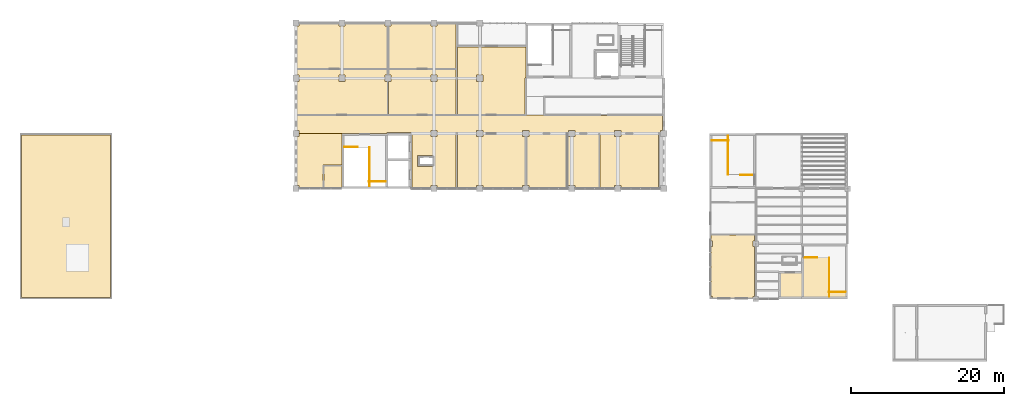
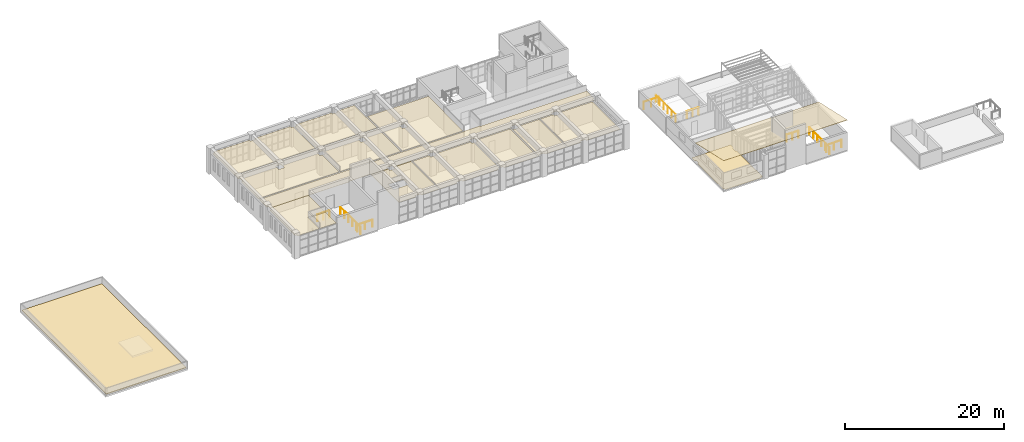
# One storey, part 49 of 51: 16 coverings, 9 railings.
"""IFC4 building model written with IfcOpenShell, lengths in metres."""

import ifcopenshell
import ifcopenshell.guid

model = None  # the IFC model being written
_history = None  # IfcOwnerHistory: only IFC2X3 demands one
_inside = {}  # id of a spatial element -> (the spatial element, [elements in it])
_under = {}  # id of a project, library or spatial element -> (it, [spatial elements below it])
_declared = {}  # id of a project -> (the project, [libraries it declares])
_typed = {}  # id of a type object -> (the type object, [elements of that type])
_made_of = {}  # id of a material, layer set ... -> (it, [elements and type objects made of it])


def new_model(schema):
    """Start an empty IFC model of exactly this schema.

    Asked for "IFC4X3", IfcOpenShell would pick the latest addendum, in which some entities
    have other attributes; the version numbers below select the first issue.
    IFC2X3 requires an IfcOwnerHistory on every rooted entity: one is made here for all.
    """
    global model, _history
    if schema == "IFC4X3":
        model = ifcopenshell.file(schema_version=(4, 3, 0, 0))
    else:
        model = ifcopenshell.file(schema=schema)
    _inside.clear()
    _under.clear()
    _declared.clear()
    _typed.clear()
    _made_of.clear()
    _history = None
    if model.schema == "IFC2X3":
        org = make("IfcOrganization", Name="unknown")
        user = make(
            "IfcPersonAndOrganization",
            ThePerson=make("IfcPerson", FamilyName="unknown"),
            TheOrganization=org,
        )
        app = make(
            "IfcApplication",
            ApplicationDeveloper=org,
            Version="unknown",
            ApplicationFullName="unknown",
            ApplicationIdentifier="unknown",
        )
        _history = make(
            "IfcOwnerHistory",
            OwningUser=user,
            OwningApplication=app,
            ChangeAction="ADDED",
            CreationDate=0,
        )
    return model


def make(cls, **values):
    """One entity of the class cls with the attributes given. An attribute that is None is left unset."""
    return model.create_entity(
        cls, **{name: value for name, value in values.items() if value is not None}
    )


def rooted(cls, **values):
    """An entity with a GlobalId (a new one), such as an element, a storey or a relation."""
    return make(cls, GlobalId=ifcopenshell.guid.new(), OwnerHistory=_history, **values)


def si_unit(unit_type, name, prefix=None):
    """IfcSIUnit, for example si_unit("LENGTHUNIT", "METRE", prefix="MILLI")."""
    return make("IfcSIUnit", UnitType=unit_type, Prefix=prefix, Name=name)


def assignment(units):
    """IfcUnitAssignment: the units of a project."""
    return None if units is None else make("IfcUnitAssignment", Units=units)


def point(xyz):
    """IfcCartesianPoint."""
    return None if xyz is None else make("IfcCartesianPoint", Coordinates=xyz)


def direction(xyz):
    """IfcDirection."""
    return None if xyz is None else make("IfcDirection", DirectionRatios=xyz)


def frame(location, z_axis=None, x_axis=None):
    """IfcAxis2Placement3D, a coordinate frame: its origin and axes. An axis left out is left unset."""
    return make(
        "IfcAxis2Placement3D",
        Location=point(location),
        Axis=direction(z_axis),
        RefDirection=direction(x_axis),
    )


def frame_2d(location, x_axis=None):
    """IfcAxis2Placement2D, a coordinate frame in the plane: its origin and x axis."""
    return make(
        "IfcAxis2Placement2D", Location=point(location), RefDirection=direction(x_axis)
    )


def origin():
    """The frame at (0, 0, 0) with its axes left unset."""
    return frame((0.0, 0.0, 0.0))


def origin_2d():
    """The frame at (0, 0) in the plane with its x axis left unset."""
    return frame_2d((0.0, 0.0))


def place(relative_to, where):
    """IfcLocalPlacement: puts the frame where relative to a parent placement (None: the world)."""
    return make(
        "IfcLocalPlacement", PlacementRelTo=relative_to, RelativePlacement=where
    )


def context(
    kind, dimensions, precision=None, world=None, true_north=None, identifier=None
):
    """IfcGeometricRepresentationContext, for example the 3D "Model" context."""
    return make(
        "IfcGeometricRepresentationContext",
        ContextIdentifier=identifier,
        ContextType=kind,
        CoordinateSpaceDimension=dimensions,
        Precision=precision,
        WorldCoordinateSystem=world,
        TrueNorth=true_north,
    )


def subcontext(parent, identifier, kind, view, scale=None):
    """IfcGeometricRepresentationSubContext, for example "Body" below "Model"."""
    return make(
        "IfcGeometricRepresentationSubContext",
        ContextIdentifier=identifier,
        ContextType=kind,
        ParentContext=parent,
        TargetScale=scale,
        TargetView=view,
    )


def project(units=None, contexts=None):
    """IfcProject with its units and contexts."""
    return rooted(
        "IfcProject",
        Name="project",
        RepresentationContexts=contexts,
        UnitsInContext=assignment(units),
    )


def spatial(cls, under=None, at=None, **own):
    """A site, building, storey or space (cls), placed at a placement, below another one or the project."""
    s = rooted(cls, ObjectPlacement=at, **own)
    if under is not None:
        _under.setdefault(under.id(), (under, []))[1].append(s)
    return s


def polyline(points):
    """IfcPolyline through the points."""
    return make("IfcPolyline", Points=[point(p) for p in points])


def profile(cls, at=None, kind="AREA", **sizes):
    """A parametric profile (cls). Its sizes go by their IFC names, for example OverallWidth=200.0."""
    return make(cls, ProfileType=kind, Position=at, **sizes)


def circle(**sizes):
    """IfcCircleProfileDef."""
    return profile("IfcCircleProfileDef", **sizes)


def outline(outer, holes=None, kind="AREA"):
    """IfcArbitraryClosedProfileDef: a profile drawn as a closed curve; with holes, ...WithVoids."""
    if holes is None:
        return make("IfcArbitraryClosedProfileDef", ProfileType=kind, OuterCurve=outer)
    return make(
        "IfcArbitraryProfileDefWithVoids",
        ProfileType=kind,
        OuterCurve=outer,
        InnerCurves=holes,
    )


def extrude(swept, where, along, depth):
    """IfcExtrudedAreaSolid: the profile swept, set in the frame where, extruded along a direction by depth."""
    return make(
        "IfcExtrudedAreaSolid",
        SweptArea=swept,
        Position=where,
        ExtrudedDirection=direction(along),
        Depth=depth,
    )


def shape(context_of_items, identifier, shape_type, items):
    """IfcShapeRepresentation: the items that make up one representation, for example the "Body"."""
    return make(
        "IfcShapeRepresentation",
        ContextOfItems=context_of_items,
        RepresentationIdentifier=identifier,
        RepresentationType=shape_type,
        Items=items,
    )


def material(Name=None, Category=None):
    """IfcMaterial."""
    return make("IfcMaterial", Name=Name, Category=Category)


def layer(
    of_material, thickness, ventilated=None, Name=None, Category=None, Priority=None
):
    """IfcMaterialLayer: one layer of a wall or slab, of a material (None: an air gap)."""
    return make(
        "IfcMaterialLayer",
        Material=of_material,
        LayerThickness=thickness,
        IsVentilated=ventilated,
        Name=Name,
        Category=Category,
        Priority=Priority,
    )


def layer_set(layers, Name=None):
    """IfcMaterialLayerSet."""
    return make("IfcMaterialLayerSet", MaterialLayers=layers, LayerSetName=Name)


def made_of(thing, what):
    """Note that an element or type object is made of a material, layer set ...; save() writes the relation."""
    if what is not None:
        _made_of.setdefault(what.id(), (what, []))[1].append(thing)
    return thing


def type_object(cls, material=None, **own):
    """A type object (cls), such as IfcWallType, which elements share."""
    return made_of(rooted(cls, **own), material)


def element(
    cls,
    number,
    at=None,
    inside=None,
    cuts=None,
    type_object=None,
    material=None,
    context=None,
    identifier="Body",
    shape_type=None,
    held_by="IfcProductDefinitionShape",
    body=None,
    shapes=None,
    **own,
):
    """One element of the class cls, such as IfcWall. Its Tag is "e" and its number.

    at: its placement. inside: the storey or other place that contains it. cuts: it is an
    opening in that element (IfcRelVoidsElement). A single representation is given by context,
    identifier, shape_type and body (its items); several are given by shapes. held_by: the class
    of the entity that holds the representations. save() writes the other relations.
    """
    e = rooted(cls, Tag="e%d" % number, ObjectPlacement=at, **own)
    if body is not None:
        shapes = [shape(context, identifier, shape_type, body)]
    if shapes is not None:
        e.Representation = make(held_by, Representations=shapes)
    if inside is not None:
        _inside.setdefault(inside.id(), (inside, []))[1].append(e)
    if cuts is not None:
        rooted(
            "IfcRelVoidsElement", RelatingBuildingElement=cuts, RelatedOpeningElement=e
        )
    if type_object is not None:
        _typed.setdefault(type_object.id(), (type_object, []))[1].append(e)
    return made_of(e, material)


def aggregate(whole, parts):
    """IfcRelAggregates: a whole, such as a stair, and the parts it consists of."""
    return rooted("IfcRelAggregates", RelatingObject=whole, RelatedObjects=parts)


def save(model, path):
    """Write the relations noted so far, then the file.

    IfcRelAggregates (storeys below a building ...), IfcRelContainedInSpatialStructure (elements
    in a storey), IfcRelDefinesByType, IfcRelAssociatesMaterial and IfcRelDeclares: one each for
    every whole, place, type object, material and project.
    """
    for whole, parts in _under.values():
        aggregate(whole, parts)
    for where, things in _inside.values():
        rooted(
            "IfcRelContainedInSpatialStructure",
            RelatedElements=things,
            RelatingStructure=where,
        )
    for kind, things in _typed.values():
        rooted("IfcRelDefinesByType", RelatedObjects=things, RelatingType=kind)
    for what, things in _made_of.values():
        rooted("IfcRelAssociatesMaterial", RelatedObjects=things, RelatingMaterial=what)
    for by, libraries in _declared.values():
        rooted("IfcRelDeclares", RelatingContext=by, RelatedDefinitions=libraries)
    model.write(path)


model = new_model("IFC4")

# Units and contexts
model_context = context("Model", 3, precision=1e-05, world=origin(), true_north=direction((0.0, 1.0)))
body_context = subcontext(model_context, "Body", "Model", "MODEL_VIEW")
ifc_project = project(units=[si_unit("LENGTHUNIT", "METRE"), si_unit("AREAUNIT", "SQUARE_METRE"), si_unit("VOLUMEUNIT", "CUBIC_METRE"), si_unit("PLANEANGLEUNIT", "RADIAN"), si_unit("MASSUNIT", "GRAM", prefix="KILO")], contexts=[model_context])

# Site, building, storey
site_placement = place(None, origin())
site = spatial("IfcSite", under=ifc_project, at=site_placement, CompositionType="ELEMENT")
building_placement = place(site_placement, origin())
building = spatial("IfcBuilding", under=site, at=building_placement, Name="Laocheng Heights Fire and Rescue Headquarters", CompositionType="ELEMENT")
storey_placement = place(building_placement, frame((0.0, 0.0, 21.0)))
storey = spatial("IfcBuildingStorey", under=building, at=storey_placement, Name="L05", CompositionType="ELEMENT", Elevation=21.0)

# Coverings
ifc_material_1 = material(Name="Bituminous membrane roofing with gravel ballast")
ifc_layer_1 = layer(ifc_material_1, 0.1201171875)
ifc_layer_set_1 = layer_set([ifc_layer_1], Name="Bituminous membrane roofing with gravel ballast")
covering_type_1 = type_object("IfcCoveringType", Name="FLAT ROOF BUILD-UP 120", PredefinedType="ROOFING", material=ifc_layer_set_1)
covering_1_placement = place(storey_placement, origin())
element("IfcCovering", 1, at=covering_1_placement, inside=storey, type_object=covering_type_1, Name="Roof covering Foyer", PredefinedType="ROOFING", context=body_context, shape_type="SweptSolid", body=[
    extrude(outline(polyline([(0.179931640625, 57.419921875), (0.179931640625, 36.179931640625), (11.820068359375, 36.179931640625), (11.820068359375, 57.419921875), (0.179931640625, 57.419921875)])), origin(), (0.0, 0.0, 1.0), 0.1201171875),
])
ifc_material_2 = material(Name="Resilient floor sheet")
ifc_layer_2 = layer(ifc_material_2, 0.006103515625, Name="RESILIENT SHEET", Category="finish")
ifc_material_3 = material(Name="Cement levelling screed")
ifc_layer_3 = layer(ifc_material_3, 0.013916015625, Name="LEVELLING SCREED", Category="screed")
ifc_layer_set_2 = layer_set([ifc_layer_2, ifc_layer_3], Name="Resilient floor finish")
covering_type_2 = type_object("IfcCoveringType", Name="RESILIENT FLOOR FINISH 20 MM CREW WING", PredefinedType="FLOORING", material=ifc_layer_set_2)
covering_2_placement = place(storey_placement, origin())
element("IfcCovering", 2, at=covering_2_placement, inside=storey, type_object=covering_type_2, Name="Stretching Studio flooring", PredefinedType="FLOORING", context=body_context, shape_type="SweptSolid", body=[
    extrude(outline(polyline([(90.35009765625, 36.14990234375), (90.35009765625, 36.35009765625), (90.14990234375, 36.35009765625), (90.14990234375, 42.85009765625), (90.35009765625, 42.85009765625), (90.35009765625, 43.550048828125), (90.14990234375, 43.550048828125), (90.14990234375, 44.324951171875), (95.824951171875, 44.324951171875), (95.824951171875, 43.550048828125), (95.64990234375, 43.550048828125), (95.64990234375, 42.85009765625), (95.824951171875, 42.85009765625), (95.824951171875, 36.35009765625), (95.64990234375, 36.35009765625), (95.64990234375, 36.14990234375), (90.35009765625, 36.14990234375)])), origin(), (0.0, 0.0, 1.0), 0.02001953125),
])
ifc_material_4 = material(Name="Standing-seam aluminium roof sheeting on waterproof membrane", Category="aluminium")
ifc_layer_4 = layer(ifc_material_4, 0.06005859375)
ifc_layer_set_3 = layer_set([ifc_layer_4], Name="Standing-seam aluminium roof sheeting on waterproof membrane")
covering_type_3 = type_object("IfcCoveringType", Name="SLOPED ROOF COVERING 60", PredefinedType="ROOFING", material=ifc_layer_set_3)
covering_3_placement = place(storey_placement, frame((90.0, 36.0, 4.66162109375), z_axis=(0.0, 0.216944477077, 0.976183944688), x_axis=(1.0, 0.0, 0.0)))
element("IfcCovering", 3, at=covering_3_placement, inside=storey, type_object=covering_type_3, Name="Butterfly covering south plane", PredefinedType="ROOFING", context=body_context, shape_type="SweptSolid", body=[
    extrude(outline(polyline([(0.0, 0.0), (18.0, 0.0), (18.0, 7.375609085826127), (0.0, 7.375609085826127), (0.0, 0.0)])), origin(), (0.0, 0.0, -1.0), 0.06005859375),
])

# Railings
ifc_material_5 = material(Name="Steel Q355B", Category="steel")
railing_type = type_object("IfcRailingType", Name="STAIR GUARD 1100", PredefinedType="GUARDRAIL", material=ifc_material_5)
railing_1_placement = place(storey_placement, frame((105.52490234375, 36.929931640625, 0.0)))
element("IfcRailing", 4, at=railing_1_placement, inside=storey, type_object=railing_type, Name="Stair C1 guard L05 tongue edge", PredefinedType="GUARDRAIL", context=body_context, shape_type="SweptSolid", body=[
    extrude(circle(Radius=0.02392578125, at=origin_2d()), frame((0.0, 0.0, 1.076171875), z_axis=(1.0, 0.0, 0.0), x_axis=(0.0, 1.0, 0.0)), (0.0, 0.0, 1.0), 2.175048828125),
    extrude(circle(Radius=0.02099609375, at=origin_2d()), origin(), (0.0, 0.0, 1.0), 1.052001953125),
    extrude(circle(Radius=0.02099609375, at=origin_2d()), frame((1.08740234375, 0.0, 0.0)), (0.0, 0.0, 1.0), 1.052001953125),
    extrude(circle(Radius=0.02099609375, at=origin_2d()), frame((2.175048828125, 0.0, 0.0)), (0.0, 0.0, 1.0), 1.052001953125),
])
railing_2_placement = place(storey_placement, frame((105.60498046875, 36.320068359375, 0.0)))
element("IfcRailing", 5, at=railing_2_placement, inside=storey, type_object=railing_type, Name="Stair C1 guard L05 strip edge", PredefinedType="GUARDRAIL", context=body_context, shape_type="SweptSolid", body=[
    extrude(circle(Radius=0.02392578125, at=origin_2d()), frame((0.0, 0.0, 1.076171875), z_axis=(0.0, 1.0, 0.0), x_axis=(-1.0, 0.0, 0.0)), (0.0, 0.0, 1.0), 5.030029296875),
    extrude(circle(Radius=0.02099609375, at=origin_2d()), origin(), (0.0, 0.0, 1.0), 1.052001953125),
    extrude(circle(Radius=0.02099609375, at=origin_2d()), frame((0.0, 1.006103515625, 0.0)), (0.0, 0.0, 1.0), 1.052001953125),
    extrude(circle(Radius=0.02099609375, at=origin_2d()), frame((0.0, 2.011962890625, 0.0)), (0.0, 0.0, 1.0), 1.052001953125),
    extrude(circle(Radius=0.02099609375, at=origin_2d()), frame((0.0, 3.01806640625, 0.0)), (0.0, 0.0, 1.0), 1.052001953125),
    extrude(circle(Radius=0.02099609375, at=origin_2d()), frame((0.0, 4.02392578125, 0.0)), (0.0, 0.0, 1.0), 1.052001953125),
    extrude(circle(Radius=0.02099609375, at=origin_2d()), frame((0.0, 5.030029296875, 0.0)), (0.0, 0.0, 1.0), 1.052001953125),
])
railing_3_placement = place(storey_placement, frame((102.320068359375, 41.429931640625, 0.0)))
element("IfcRailing", 6, at=railing_3_placement, inside=storey, type_object=railing_type, Name="Stair C1 guard L05 flight opening", PredefinedType="GUARDRAIL", context=body_context, shape_type="SweptSolid", body=[
    extrude(circle(Radius=0.02392578125, at=origin_2d()), frame((0.0, 0.0, 1.076171875), z_axis=(1.0, 0.0, 0.0), x_axis=(0.0, 1.0, 0.0)), (0.0, 0.0, 1.0), 1.704833984375),
    extrude(circle(Radius=0.02099609375, at=origin_2d()), origin(), (0.0, 0.0, 1.0), 1.052001953125),
    extrude(circle(Radius=0.02099609375, at=origin_2d()), frame((0.8525390625, 0.0, 0.0)), (0.0, 0.0, 1.0), 1.052001953125),
    extrude(circle(Radius=0.02099609375, at=origin_2d()), frame((1.704833984375, 0.0, 0.0)), (0.0, 0.0, 1.0), 1.052001953125),
])
railing_4_placement = place(storey_placement, frame((92.47509765625, 56.669921875, 0.0)))
element("IfcRailing", 7, at=railing_4_placement, inside=storey, type_object=railing_type, Name="Stair C2 guard L05 tongue edge", PredefinedType="GUARDRAIL", context=body_context, shape_type="SweptSolid", body=[
    extrude(circle(Radius=0.02392578125, at=origin_2d()), frame((0.0, 0.0, 1.076171875), z_axis=(-1.0, 0.0, 0.0), x_axis=(0.0, -1.0, 0.0)), (0.0, 0.0, 1.0), 2.175048828125),
    extrude(circle(Radius=0.02099609375, at=origin_2d()), origin(), (0.0, 0.0, 1.0), 1.052001953125),
    extrude(circle(Radius=0.02099609375, at=origin_2d()), frame((-1.08740234375, 0.0, 0.0)), (0.0, 0.0, 1.0), 1.052001953125),
    extrude(circle(Radius=0.02099609375, at=origin_2d()), frame((-2.175048828125, 0.0, 0.0)), (0.0, 0.0, 1.0), 1.052001953125),
])
railing_5_placement = place(storey_placement, frame((92.39501953125, 57.280029296875, 0.0)))
element("IfcRailing", 8, at=railing_5_placement, inside=storey, type_object=railing_type, Name="Stair C2 guard L05 strip edge", PredefinedType="GUARDRAIL", context=body_context, shape_type="SweptSolid", body=[
    extrude(circle(Radius=0.02392578125, at=origin_2d()), frame((0.0, 0.0, 1.076171875), z_axis=(0.0, -1.0, 0.0), x_axis=(1.0, 0.0, 0.0)), (0.0, 0.0, 1.0), 5.030029296875),
    extrude(circle(Radius=0.02099609375, at=origin_2d()), origin(), (0.0, 0.0, 1.0), 1.052001953125),
    extrude(circle(Radius=0.02099609375, at=origin_2d()), frame((0.0, -1.006103515625, 0.0)), (0.0, 0.0, 1.0), 1.052001953125),
    extrude(circle(Radius=0.02099609375, at=origin_2d()), frame((0.0, -2.011962890625, 0.0)), (0.0, 0.0, 1.0), 1.052001953125),
    extrude(circle(Radius=0.02099609375, at=origin_2d()), frame((0.0, -3.01806640625, 0.0)), (0.0, 0.0, 1.0), 1.052001953125),
    extrude(circle(Radius=0.02099609375, at=origin_2d()), frame((0.0, -4.02392578125, 0.0)), (0.0, 0.0, 1.0), 1.052001953125),
    extrude(circle(Radius=0.02099609375, at=origin_2d()), frame((0.0, -5.030029296875, 0.0)), (0.0, 0.0, 1.0), 1.052001953125),
])
railing_6_placement = place(storey_placement, frame((95.679931640625, 52.169921875, 0.0)))
element("IfcRailing", 9, at=railing_6_placement, inside=storey, type_object=railing_type, Name="Stair C2 guard L05 flight opening", PredefinedType="GUARDRAIL", context=body_context, shape_type="SweptSolid", body=[
    extrude(circle(Radius=0.02392578125, at=origin_2d()), frame((0.0, 0.0, 1.076171875), z_axis=(-1.0, 0.0, 0.0), x_axis=(0.0, -1.0, 0.0)), (0.0, 0.0, 1.0), 1.704833984375),
    extrude(circle(Radius=0.02099609375, at=origin_2d()), origin(), (0.0, 0.0, 1.0), 1.052001953125),
    extrude(circle(Radius=0.02099609375, at=origin_2d()), frame((-0.8525390625, 0.0, 0.0)), (0.0, 0.0, 1.0), 1.052001953125),
    extrude(circle(Radius=0.02099609375, at=origin_2d()), frame((-1.704833984375, 0.0, 0.0)), (0.0, 0.0, 1.0), 1.052001953125),
])
railing_7_placement = place(storey_placement, frame((45.52490234375, 51.330078125, 0.0)))
element("IfcRailing", 10, at=railing_7_placement, inside=storey, type_object=railing_type, Name="Stair H1 guard L05 tongue edge", PredefinedType="GUARDRAIL", context=body_context, shape_type="SweptSolid", body=[
    extrude(circle(Radius=0.02392578125, at=origin_2d()), frame((0.0, 0.0, 1.076171875), z_axis=(1.0, 0.0, 0.0), x_axis=(0.0, 1.0, 0.0)), (0.0, 0.0, 1.0), 2.175048828125),
    extrude(circle(Radius=0.02099609375, at=origin_2d()), origin(), (0.0, 0.0, 1.0), 1.052001953125),
    extrude(circle(Radius=0.02099609375, at=origin_2d()), frame((1.08740234375, 0.0, 0.0)), (0.0, 0.0, 1.0), 1.052001953125),
    extrude(circle(Radius=0.02099609375, at=origin_2d()), frame((2.175048828125, 0.0, 0.0)), (0.0, 0.0, 1.0), 1.052001953125),
])
railing_8_placement = place(storey_placement, frame((45.60498046875, 50.719970703125, 0.0)))
element("IfcRailing", 11, at=railing_8_placement, inside=storey, type_object=railing_type, Name="Stair H1 guard L05 strip edge", PredefinedType="GUARDRAIL", context=body_context, shape_type="SweptSolid", body=[
    extrude(circle(Radius=0.02392578125, at=origin_2d()), frame((0.0, 0.0, 1.076171875), z_axis=(0.0, 1.0, 0.0), x_axis=(-1.0, 0.0, 0.0)), (0.0, 0.0, 1.0), 5.030029296875),
    extrude(circle(Radius=0.02099609375, at=origin_2d()), origin(), (0.0, 0.0, 1.0), 1.052001953125),
    extrude(circle(Radius=0.02099609375, at=origin_2d()), frame((0.0, 1.006103515625, 0.0)), (0.0, 0.0, 1.0), 1.052001953125),
    extrude(circle(Radius=0.02099609375, at=origin_2d()), frame((0.0, 2.011962890625, 0.0)), (0.0, 0.0, 1.0), 1.052001953125),
    extrude(circle(Radius=0.02099609375, at=origin_2d()), frame((0.0, 3.01806640625, 0.0)), (0.0, 0.0, 1.0), 1.052001953125),
    extrude(circle(Radius=0.02099609375, at=origin_2d()), frame((0.0, 4.02392578125, 0.0)), (0.0, 0.0, 1.0), 1.052001953125),
    extrude(circle(Radius=0.02099609375, at=origin_2d()), frame((0.0, 5.030029296875, 0.0)), (0.0, 0.0, 1.0), 1.052001953125),
])
railing_9_placement = place(storey_placement, frame((42.320068359375, 55.830078125, 0.0)))
element("IfcRailing", 12, at=railing_9_placement, inside=storey, type_object=railing_type, Name="Stair H1 guard L05 flight opening", PredefinedType="GUARDRAIL", context=body_context, shape_type="SweptSolid", body=[
    extrude(circle(Radius=0.02392578125, at=origin_2d()), frame((0.0, 0.0, 1.076171875), z_axis=(1.0, 0.0, 0.0), x_axis=(0.0, 1.0, 0.0)), (0.0, 0.0, 1.0), 1.704833984375),
    extrude(circle(Radius=0.02099609375, at=origin_2d()), origin(), (0.0, 0.0, 1.0), 1.052001953125),
    extrude(circle(Radius=0.02099609375, at=origin_2d()), frame((0.8525390625, 0.0, 0.0)), (0.0, 0.0, 1.0), 1.052001953125),
    extrude(circle(Radius=0.02099609375, at=origin_2d()), frame((1.704833984375, 0.0, 0.0)), (0.0, 0.0, 1.0), 1.052001953125),
])

# Coverings
ifc_material_6 = material(Name="Mineral fibre ceiling tile")
ifc_layer_5 = layer(ifc_material_6, 0.0400390625)
ifc_layer_set_4 = layer_set([ifc_layer_5], Name="Mineral fibre ceiling tile")
covering_type_4 = type_object("IfcCoveringType", Name="SUSPENDED CEILING MINERAL FIBRE TILE HQ WING", PredefinedType="CEILING", material=ifc_layer_set_4)
covering_4_placement = place(storey_placement, frame((0.0, 0.0, 3.0)))
element("IfcCovering", 13, at=covering_4_placement, inside=storey, type_object=covering_type_4, Name="Training Foyer Lobby ceiling", PredefinedType="CEILING", context=body_context, shape_type="SweptSolid", body=[
    extrude(outline(polyline([(42.0, 53.47509765625), (39.675048828125, 53.47509765625), (39.52490234375, 53.47509765625), (39.52490234375, 50.550048828125), (36.39990234375, 50.550048828125), (36.39990234375, 50.800048828125), (36.14990234375, 50.800048828125), (36.14990234375, 57.199951171875), (36.39990234375, 57.199951171875), (36.39990234375, 57.60009765625), (42.0, 57.60009765625), (42.0, 53.47509765625)])), origin(), (0.0, 0.0, 1.0), 0.0400390625),
])
covering_5_placement = place(storey_placement, frame((0.0, 0.0, 3.0)))
element("IfcCovering", 14, at=covering_5_placement, inside=storey, type_object=covering_type_4, Name="Accessible WC ceiling", PredefinedType="CEILING", context=body_context, shape_type="SweptSolid", body=[
    extrude(outline(polyline([(39.675048828125, 50.550048828125), (39.675048828125, 53.324951171875), (42.0, 53.324951171875), (42.0, 50.550048828125), (39.675048828125, 50.550048828125)])), origin(), (0.0, 0.0, 1.0), 0.0400390625),
])
covering_6_placement = place(storey_placement, frame((0.0, 0.0, 3.0)))
element("IfcCovering", 15, at=covering_6_placement, inside=storey, type_object=covering_type_4, Name="Lift Lobby ceiling", PredefinedType="CEILING", context=body_context, shape_type="SweptSolid", body=[
    extrude(outline(polyline([(56.925048828125, 50.550048828125), (54.39990234375, 50.550048828125), (54.39990234375, 50.800048828125), (53.60009765625, 50.800048828125), (53.60009765625, 50.550048828125), (51.125, 50.550048828125), (51.125, 53.875), (51.125, 54.125), (51.125, 57.47509765625), (51.125, 57.60009765625), (53.60009765625, 57.60009765625), (53.60009765625, 57.199951171875), (54.39990234375, 57.199951171875), (54.39990234375, 57.60009765625), (56.925048828125, 57.60009765625), (56.925048828125, 50.550048828125)]), holes=[polyline([(52.10009765625, 53.300048828125), (53.89990234375, 53.300048828125), (54.10009765625, 53.300048828125), (54.10009765625, 53.5), (54.10009765625, 54.5), (54.10009765625, 54.699951171875), (53.89990234375, 54.699951171875), (52.10009765625, 54.699951171875), (51.89990234375, 54.699951171875), (51.89990234375, 54.5), (51.89990234375, 53.5), (51.89990234375, 53.300048828125), (52.10009765625, 53.300048828125)])]), origin(), (0.0, 0.0, 1.0), 0.0400390625),
])
covering_7_placement = place(storey_placement, frame((0.0, 0.0, 3.0)))
element("IfcCovering", 16, at=covering_7_placement, inside=storey, type_object=covering_type_4, Name="Circulation ceiling", PredefinedType="CEILING", context=body_context, shape_type="SweptSolid", body=[
    extrude(outline(polyline([(68.324951171875, 59.925048828125), (68.47509765625, 59.925048828125), (83.85009765625, 59.925048828125), (83.85009765625, 58.0), (83.60009765625, 58.0), (83.60009765625, 57.60009765625), (83.47509765625, 57.60009765625), (83.47509765625, 57.675048828125), (83.324951171875, 57.675048828125), (78.39990234375, 57.675048828125), (78.39990234375, 58.0), (77.60009765625, 58.0), (77.60009765625, 57.675048828125), (72.39990234375, 57.675048828125), (72.39990234375, 58.0), (71.60009765625, 58.0), (71.60009765625, 57.675048828125), (66.39990234375, 57.675048828125), (66.39990234375, 58.0), (65.60009765625, 58.0), (65.60009765625, 57.675048828125), (60.39990234375, 57.675048828125), (60.39990234375, 58.0), (59.60009765625, 58.0), (59.60009765625, 57.675048828125), (57.074951171875, 57.675048828125), (56.925048828125, 57.675048828125), (56.925048828125, 57.60009765625), (54.39990234375, 57.60009765625), (54.39990234375, 58.0), (53.60009765625, 58.0), (53.60009765625, 57.60009765625), (51.125, 57.60009765625), (51.125, 57.72509765625), (50.875, 57.72509765625), (48.125, 57.72509765625), (47.875, 57.72509765625), (47.875, 57.60009765625), (36.39990234375, 57.60009765625), (36.39990234375, 58.0), (36.14990234375, 58.0), (36.14990234375, 59.925048828125), (65.925048828125, 59.925048828125), (66.074951171875, 59.925048828125), (66.074951171875, 60.0), (68.324951171875, 60.0), (68.324951171875, 59.925048828125)])), origin(), (0.0, 0.0, 1.0), 0.0400390625),
])
covering_8_placement = place(storey_placement, frame((0.0, 0.0, 3.0)))
element("IfcCovering", 17, at=covering_8_placement, inside=storey, type_object=covering_type_4, Name="Fire Service Training Room 1 ceiling", PredefinedType="CEILING", context=body_context, shape_type="SweptSolid", body=[
    extrude(outline(polyline([(47.925048828125, 65.199951171875), (47.60009765625, 65.199951171875), (47.60009765625, 64.39990234375), (47.925048828125, 64.39990234375), (47.925048828125, 60.074951171875), (36.14990234375, 60.074951171875), (36.14990234375, 64.39990234375), (36.39990234375, 64.39990234375), (36.39990234375, 65.199951171875), (36.14990234375, 65.199951171875), (36.14990234375, 65.925048828125), (47.925048828125, 65.925048828125), (47.925048828125, 65.199951171875)]), holes=[polyline([(42.39990234375, 64.39990234375), (42.39990234375, 65.199951171875), (41.60009765625, 65.199951171875), (41.60009765625, 64.39990234375), (42.39990234375, 64.39990234375)])]), origin(), (0.0, 0.0, 1.0), 0.0400390625),
])
covering_9_placement = place(storey_placement, frame((0.0, 0.0, 3.0)))
element("IfcCovering", 18, at=covering_9_placement, inside=storey, type_object=covering_type_4, Name="Fire Service Training Room 2 ceiling", PredefinedType="CEILING", context=body_context, shape_type="SweptSolid", body=[
    extrude(outline(polyline([(41.60009765625, 71.85009765625), (41.60009765625, 71.60009765625), (42.39990234375, 71.60009765625), (42.39990234375, 71.85009765625), (47.60009765625, 71.85009765625), (47.60009765625, 71.60009765625), (47.925048828125, 71.60009765625), (47.925048828125, 66.074951171875), (36.14990234375, 66.074951171875), (36.14990234375, 71.60009765625), (36.39990234375, 71.60009765625), (36.39990234375, 71.85009765625), (41.60009765625, 71.85009765625)])), origin(), (0.0, 0.0, 1.0), 0.0400390625),
])
covering_10_placement = place(storey_placement, frame((0.0, 0.0, 3.0)))
element("IfcCovering", 19, at=covering_10_placement, inside=storey, type_object=covering_type_4, Name="Skills Laboratory ceiling", PredefinedType="CEILING", context=body_context, shape_type="SweptSolid", body=[
    extrude(outline(polyline([(56.925048828125, 60.074951171875), (48.074951171875, 60.074951171875), (48.074951171875, 64.39990234375), (48.39990234375, 64.39990234375), (48.39990234375, 65.199951171875), (48.074951171875, 65.199951171875), (48.074951171875, 65.925048828125), (56.925048828125, 65.925048828125), (56.925048828125, 60.074951171875)]), holes=[polyline([(54.39990234375, 64.39990234375), (54.39990234375, 65.199951171875), (53.60009765625, 65.199951171875), (53.60009765625, 64.39990234375), (54.39990234375, 64.39990234375)])]), origin(), (0.0, 0.0, 1.0), 0.0400390625),
])
covering_11_placement = place(storey_placement, frame((0.0, 0.0, 3.0)))
element("IfcCovering", 20, at=covering_11_placement, inside=storey, type_object=covering_type_4, Name="Learning Resource Room ceiling", PredefinedType="CEILING", context=body_context, shape_type="SweptSolid", body=[
    extrude(outline(polyline([(53.60009765625, 71.85009765625), (53.60009765625, 71.60009765625), (54.39990234375, 71.60009765625), (54.39990234375, 71.85009765625), (56.89990234375, 71.85009765625), (56.89990234375, 68.89990234375), (56.925048828125, 68.89990234375), (56.925048828125, 66.074951171875), (48.074951171875, 66.074951171875), (48.074951171875, 71.60009765625), (48.39990234375, 71.60009765625), (48.39990234375, 71.85009765625), (53.60009765625, 71.85009765625)])), origin(), (0.0, 0.0, 1.0), 0.0400390625),
])
covering_12_placement = place(storey_placement, frame((0.0, 0.0, 3.0)))
element("IfcCovering", 21, at=covering_12_placement, inside=storey, type_object=covering_type_4, Name="Staff Canteen ceiling", PredefinedType="CEILING", context=body_context, shape_type="SweptSolid", body=[
    extrude(outline(polyline([(65.925048828125, 64.800048828125), (65.925048828125, 60.074951171875), (57.074951171875, 60.074951171875), (57.074951171875, 68.89990234375), (57.10009765625, 68.89990234375), (66.0, 68.89990234375), (66.0, 64.800048828125), (65.925048828125, 64.800048828125)]), holes=[polyline([(60.39990234375, 64.39990234375), (60.39990234375, 65.199951171875), (59.60009765625, 65.199951171875), (59.60009765625, 64.39990234375), (60.39990234375, 64.39990234375)])]), origin(), (0.0, 0.0, 1.0), 0.0400390625),
])
covering_13_placement = place(storey_placement, frame((0.0, 0.0, 3.0)))
element("IfcCovering", 22, at=covering_13_placement, inside=storey, type_object=covering_type_4, Name="Fire Service Board Room ceiling", PredefinedType="CEILING", context=body_context, shape_type="SweptSolid", body=[
    extrude(outline(polyline([(65.925048828125, 50.800048828125), (65.60009765625, 50.800048828125), (65.60009765625, 50.550048828125), (60.39990234375, 50.550048828125), (60.39990234375, 50.800048828125), (59.60009765625, 50.800048828125), (59.60009765625, 50.550048828125), (57.074951171875, 50.550048828125), (57.074951171875, 57.52490234375), (59.60009765625, 57.52490234375), (59.60009765625, 57.199951171875), (60.39990234375, 57.199951171875), (60.39990234375, 57.52490234375), (65.60009765625, 57.52490234375), (65.60009765625, 57.199951171875), (65.925048828125, 57.199951171875), (65.925048828125, 50.800048828125)])), origin(), (0.0, 0.0, 1.0), 0.0400390625),
])
covering_14_placement = place(storey_placement, frame((0.0, 0.0, 3.0)))
element("IfcCovering", 23, at=covering_14_placement, inside=storey, type_object=covering_type_4, Name="Staff Welfare Room ceiling", PredefinedType="CEILING", context=body_context, shape_type="SweptSolid", body=[
    extrude(outline(polyline([(71.340087890625, 50.550048828125), (66.39990234375, 50.550048828125), (66.39990234375, 50.800048828125), (66.074951171875, 50.800048828125), (66.074951171875, 57.199951171875), (66.39990234375, 57.199951171875), (66.39990234375, 57.52490234375), (71.340087890625, 57.52490234375), (71.340087890625, 50.550048828125)])), origin(), (0.0, 0.0, 1.0), 0.0400390625),
])
covering_15_placement = place(storey_placement, frame((0.0, 0.0, 3.0)))
element("IfcCovering", 24, at=covering_15_placement, inside=storey, type_object=covering_type_4, Name="Counselling Room ceiling", PredefinedType="CEILING", context=body_context, shape_type="SweptSolid", body=[
    extrude(outline(polyline([(75.52490234375, 50.550048828125), (72.39990234375, 50.550048828125), (72.39990234375, 50.800048828125), (71.60009765625, 50.800048828125), (71.60009765625, 50.550048828125), (71.4599609375, 50.550048828125), (71.4599609375, 57.52490234375), (71.60009765625, 57.52490234375), (71.60009765625, 57.199951171875), (72.39990234375, 57.199951171875), (72.39990234375, 57.52490234375), (75.52490234375, 57.52490234375), (75.52490234375, 50.550048828125)])), origin(), (0.0, 0.0, 1.0), 0.0400390625),
])
covering_16_placement = place(storey_placement, frame((0.0, 0.0, 3.0)))
element("IfcCovering", 25, at=covering_16_placement, inside=storey, type_object=covering_type_4, Name="Toilets ceiling", PredefinedType="CEILING", context=body_context, shape_type="SweptSolid", body=[
    extrude(outline(polyline([(83.324951171875, 50.550048828125), (78.39990234375, 50.550048828125), (78.39990234375, 50.800048828125), (77.60009765625, 50.800048828125), (77.60009765625, 50.550048828125), (75.675048828125, 50.550048828125), (75.675048828125, 57.52490234375), (77.60009765625, 57.52490234375), (77.60009765625, 57.199951171875), (78.39990234375, 57.199951171875), (78.39990234375, 57.52490234375), (83.324951171875, 57.52490234375), (83.324951171875, 50.550048828125)])), origin(), (0.0, 0.0, 1.0), 0.0400390625),
])

save(model, "model.ifc")
